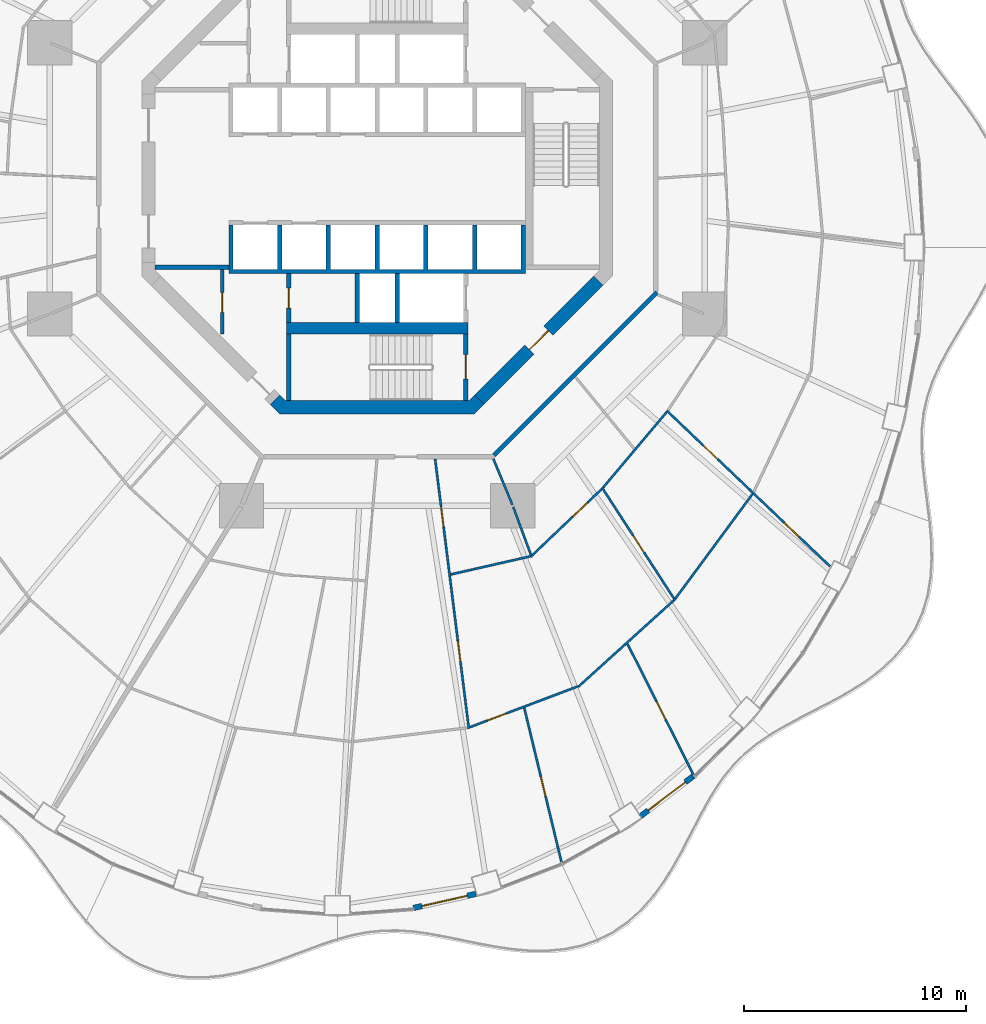
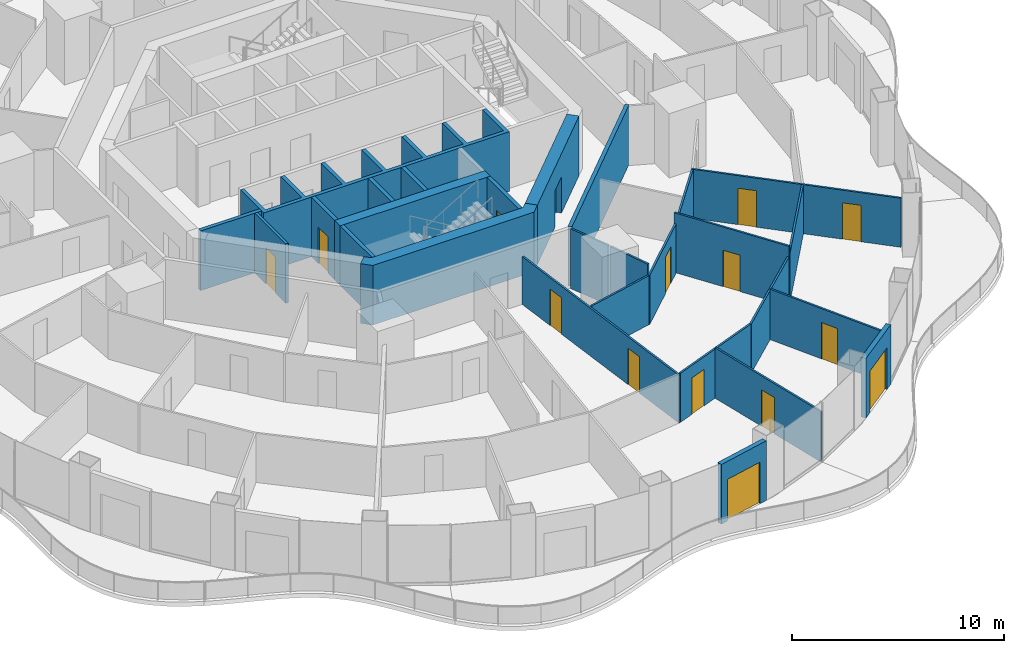
# One storey, part 13 of 20: 27 walls, 15 doors, 15 openings.
"""IFC4 building model written with IfcOpenShell, lengths in metres."""

from ifc_helpers import new_model, si_unit, direction, frame, frame_2d, origin, place, context, subcontext, project, spatial, polyline, rectangle, outline, extrude, material, layer, layer_set, type_object, element, fill, save


model = new_model("IFC4")

# Units and contexts
model_context = context("Model", 3, precision=1e-05, world=origin(), true_north=direction((0.0, 1.0)))
body_context = subcontext(model_context, "Body", "Model", "MODEL_VIEW")
ifc_project = project(units=[si_unit("LENGTHUNIT", "METRE"), si_unit("AREAUNIT", "SQUARE_METRE"), si_unit("VOLUMEUNIT", "CUBIC_METRE"), si_unit("PLANEANGLEUNIT", "RADIAN"), si_unit("MASSUNIT", "GRAM", prefix="KILO")], contexts=[model_context])

# Site, building, storey
site_placement = place(None, origin())
site = spatial("IfcSite", under=ifc_project, at=site_placement, CompositionType="ELEMENT")
building_placement = place(site_placement, origin())
building = spatial("IfcBuilding", under=site, at=building_placement, Name="Nagisa Residences", CompositionType="ELEMENT")
storey_placement = place(building_placement, frame((0.0, 0.0, 145.5)))
storey = spatial("IfcBuildingStorey", under=building, at=storey_placement, Name="L36", CompositionType="ELEMENT", Elevation=145.5)

# Wall
ifc_material_1 = material(Name="Gypsum board on steel studs", Category="steel")
ifc_layer_1 = layer(ifc_material_1, 0.199951171875)
ifc_layer_set_1 = layer_set([ifc_layer_1], Name="Apartment entry wall EI60 200")
wall_type_1 = type_object("IfcWallType", Name="Apartment entry wall EI60 200", PredefinedType="PARTITIONING", material=ifc_layer_set_1)
wall_1_placement = place(storey_placement, frame((5.275146484375, -12.494140625, 0.0), z_axis=(0.0, 0.0, 1.0), x_axis=(0.707106781187, 0.707106781187, 0.0)))
element("IfcWall", 1, at=wall_1_placement, inside=storey, type_object=wall_type_1, Name="wall:L36:u11", PredefinedType="PARTITIONING", context=body_context, shape_type="SweptSolid", body=[
    extrude(rectangle(XDim=10.4091796875, YDim=0.199951171875, at=frame_2d((5.20458984375, 0.0))), origin(), (0.0, 0.0, 1.0), 3.43994140625),
])

# Wall, openings, doors
ifc_material_2 = material(Name="Gypsum board on steel studs", Category="steel")
ifc_layer_2 = layer(ifc_material_2, 0.10009765625)
ifc_layer_set_2 = layer_set([ifc_layer_2], Name="Apartment partition 100")
wall_type_2 = type_object("IfcWallType", Name="Apartment partition 100", PredefinedType="PARTITIONING", material=ifc_layer_set_2)
wall_2_placement = place(storey_placement, frame((2.61474609375, -12.6640625, 0.0), z_axis=(0.0, 0.0, 1.0), x_axis=(0.124051875784, -0.992275733914, 0.0)))
wall_2 = element("IfcWall", 2, at=wall_2_placement, inside=storey, type_object=wall_type_2, Name="wall:L36:u79", PredefinedType="PARTITIONING", context=body_context, shape_type="SweptSolid", body=[
    extrude(rectangle(XDim=12.270751953125, YDim=0.10009765625, at=frame_2d((6.13525390625, 0.0))), origin(), (0.0, 0.0, 1.0), 2.756103515625),
])
opening_1_placement = place(wall_2_placement, frame((2.182861328125, 0.0, 0.0)))
opening_1 = element("IfcOpeningElement", 3, at=opening_1_placement, cuts=wall_2, Name="Opening L36-U03", PredefinedType="OPENING", context=body_context, shape_type="SweptSolid", body=[
    extrude(rectangle(XDim=0.89990234375, YDim=2.10009765625, at=frame_2d((0.449951171875, 1.050048828125))), frame((0.0, 0.06005859375, 0.0), z_axis=(0.0, -1.0, 0.0), x_axis=(1.0, 0.0, 0.0)), (0.0, 0.0, 1.0), 0.1201171875),
])
opening_2_placement = place(wall_2_placement, frame((8.293212890625, 0.0, 0.0)))
opening_2 = element("IfcOpeningElement", 4, at=opening_2_placement, cuts=wall_2, Name="Opening L36-U06", PredefinedType="OPENING", context=body_context, shape_type="SweptSolid", body=[
    extrude(rectangle(XDim=0.89990234375, YDim=2.10009765625, at=frame_2d((0.449951171875, 1.050048828125))), frame((0.0, 0.06005859375, 0.0), z_axis=(0.0, -1.0, 0.0), x_axis=(1.0, 0.0, 0.0)), (0.0, 0.0, 1.0), 0.1201171875),
])
ifc_material_3 = material(Name="Timber door set", Category="wood")
door_type_1 = type_object("IfcDoorType", Name="Apartment door 900x2100", OperationType="NOTDEFINED", PredefinedType="DOOR", material=ifc_material_3)
door_1_placement = place(opening_1_placement, origin())
door_1 = element("IfcDoor", 5, at=door_1_placement, inside=storey, type_object=door_type_1, Name="Door to family bathroom, Apartment 36A", OperationType="SINGLE_SWING_LEFT", OverallHeight=2.10009765625, OverallWidth=0.89990234375, PredefinedType="DOOR", context=body_context, shape_type="SweptSolid", body=[
    extrude(rectangle(XDim=0.89990234375, YDim=2.10009765625, at=frame_2d((0.449951171875, 1.050048828125))), frame((0.0, 0.02490234375, 0.0), z_axis=(0.0, -1.0, 0.0), x_axis=(1.0, 0.0, 0.0)), (0.0, 0.0, 1.0), 0.050048828125),
])
fill(opening_1, door_1)
door_2_placement = place(opening_2_placement, origin())
door_2 = element("IfcDoor", 6, at=door_2_placement, inside=storey, type_object=door_type_1, Name="Door to family room, Apartment 36A", OperationType="SINGLE_SWING_RIGHT", OverallHeight=2.10009765625, OverallWidth=0.89990234375, PredefinedType="DOOR", context=body_context, shape_type="SweptSolid", body=[
    extrude(rectangle(XDim=0.89990234375, YDim=2.10009765625, at=frame_2d((0.449951171875, 1.050048828125))), frame((0.0, 0.02490234375, 0.0), z_axis=(0.0, -1.0, 0.0), x_axis=(1.0, 0.0, 0.0)), (0.0, 0.0, 1.0), 0.050048828125),
])
fill(opening_2, door_2)

# Wall
wall_3_placement = place(storey_placement, frame((3.316650390625, -17.8779296875, 0.0), z_axis=(0.0, 0.0, 1.0), x_axis=(0.975099660451, 0.221767112505, 0.0)))
element("IfcWall", 7, at=wall_3_placement, inside=storey, type_object=wall_type_2, Name="wall:L36:u80", PredefinedType="PARTITIONING", context=body_context, shape_type="SweptSolid", body=[
    extrude(rectangle(XDim=3.685791015625, YDim=0.10009765625, at=frame_2d((1.8427734375, 0.0))), origin(), (0.0, 0.0, 1.0), 2.827880859375),
])

# Wall, opening, door
wall_4_placement = place(storey_placement, frame((4.177734375, -24.77294921875, 0.0), z_axis=(0.0, 0.0, 1.0), x_axis=(0.935585145124, 0.353101169955, 0.0)))
wall_4 = element("IfcWall", 8, at=wall_4_placement, inside=storey, type_object=wall_type_2, Name="wall:L36:u81", PredefinedType="PARTITIONING", context=body_context, shape_type="SweptSolid", body=[
    extrude(rectangle(XDim=5.2333984375, YDim=0.10009765625, at=frame_2d((2.61669921875, 0.0))), origin(), (0.0, 0.0, 1.0), 2.827880859375),
])
opening_3_placement = place(wall_4_placement, frame((0.8583984375, 0.0, 0.0)))
opening_3 = element("IfcOpeningElement", 9, at=opening_3_placement, cuts=wall_4, Name="Opening L36-U13", PredefinedType="OPENING", context=body_context, shape_type="SweptSolid", body=[
    extrude(rectangle(XDim=0.89990234375, YDim=2.10009765625, at=frame_2d((0.449951171875, 1.050048828125))), frame((0.0, 0.06005859375, 0.0), z_axis=(0.0, -1.0, 0.0), x_axis=(1.0, 0.0, 0.0)), (0.0, 0.0, 1.0), 0.1201171875),
])
door_3_placement = place(opening_3_placement, frame((0.89990234375, 0.0, 0.0), x_axis=(-1.0, 0.0, 0.0)))
door_3 = element("IfcDoor", 10, at=door_3_placement, inside=storey, type_object=door_type_1, Name="Door to dining room, Apartment 36A", OperationType="SINGLE_SWING_RIGHT", OverallHeight=2.10009765625, OverallWidth=0.89990234375, PredefinedType="DOOR", context=body_context, shape_type="SweptSolid", body=[
    extrude(rectangle(XDim=0.89990234375, YDim=2.10009765625, at=frame_2d((0.449951171875, 1.050048828125))), frame((0.0, 0.02490234375, 0.0), z_axis=(0.0, -1.0, 0.0), x_axis=(1.0, 0.0, 0.0)), (0.0, 0.0, 1.0), 0.050048828125),
])
fill(opening_3, door_3)

wall_5_placement = place(storey_placement, frame((6.6376953125, -23.8974609375, 0.0), z_axis=(0.0, 0.0, 1.0), x_axis=(0.23451925277, -0.97211147513, 0.0)))
wall_5 = element("IfcWall", 11, at=wall_5_placement, inside=storey, type_object=wall_type_2, Name="wall:L36:u82", PredefinedType="PARTITIONING", context=body_context, shape_type="SweptSolid", body=[
    extrude(rectangle(XDim=7.281005859375, YDim=0.10009765625, at=frame_2d((3.640625, 0.0))), origin(), (0.0, 0.0, 1.0), 2.905029296875),
])
opening_4_placement = place(wall_5_placement, frame((3.1904296875, 0.0, 0.0)))
opening_4 = element("IfcOpeningElement", 12, at=opening_4_placement, cuts=wall_5, Name="Opening L36-U14", PredefinedType="OPENING", context=body_context, shape_type="SweptSolid", body=[
    extrude(rectangle(XDim=0.89990234375, YDim=2.10009765625, at=frame_2d((0.449951171875, 1.050048828125))), frame((0.0, 0.06005859375, 0.0), z_axis=(0.0, -1.0, 0.0), x_axis=(1.0, 0.0, 0.0)), (0.0, 0.0, 1.0), 0.1201171875),
])
door_4_placement = place(opening_4_placement, origin())
door_4 = element("IfcDoor", 13, at=door_4_placement, inside=storey, type_object=door_type_1, Name="Door to living room, Apartment 36A", OperationType="SINGLE_SWING_RIGHT", OverallHeight=2.10009765625, OverallWidth=0.89990234375, PredefinedType="DOOR", context=body_context, shape_type="SweptSolid", body=[
    extrude(rectangle(XDim=0.89990234375, YDim=2.10009765625, at=frame_2d((0.449951171875, 1.050048828125))), frame((0.0, 0.02490234375, 0.0), z_axis=(0.0, -1.0, 0.0), x_axis=(1.0, 0.0, 0.0)), (0.0, 0.0, 1.0), 0.050048828125),
])
fill(opening_4, door_4)

# Walls
wall_6_placement = place(storey_placement, frame((5.24267578125, -12.6572265625, 0.0), z_axis=(0.0, 0.0, 1.0), x_axis=(0.382703272338, -0.923871314276, 0.0)))
element("IfcWall", 14, at=wall_6_placement, inside=storey, type_object=wall_type_2, Name="wall:L36:u83", PredefinedType="PARTITIONING", context=body_context, shape_type="SweptSolid", body=[
    extrude(rectangle(XDim=2.249267578125, YDim=0.10009765625, at=frame_2d((1.12451171875, 0.0))), origin(), (0.0, 0.0, 1.0), 3.43994140625),
])
wall_7_placement = place(storey_placement, frame((6.14013671875, -14.8291015625, 0.0), z_axis=(0.0, 0.0, 1.0), x_axis=(0.346198576881, -0.938161257655, 0.0)))
element("IfcWall", 15, at=wall_7_placement, inside=storey, type_object=wall_type_2, Name="wall:L36:u84", PredefinedType="PARTITIONING", context=body_context, shape_type="SweptSolid", body=[
    extrude(rectangle(XDim=2.316650390625, YDim=0.10009765625, at=frame_2d((1.158203125, 0.0))), origin(), (0.0, 0.0, 1.0), 3.43994140625),
])

# Wall, opening, door
wall_8_placement = place(storey_placement, frame((6.92333984375, -17.083984375, 0.0), z_axis=(0.0, 0.0, 1.0), x_axis=(0.723719008606, 0.690094773623, 0.0)))
wall_8 = element("IfcWall", 16, at=wall_8_placement, inside=storey, type_object=wall_type_2, Name="wall:L36:u85", PredefinedType="PARTITIONING", context=body_context, shape_type="SweptSolid", body=[
    extrude(rectangle(XDim=4.436279296875, YDim=0.10009765625, at=frame_2d((2.21826171875, 0.0))), origin(), (0.0, 0.0, 1.0), 2.827880859375),
])
opening_5_placement = place(wall_8_placement, frame((2.629150390625, 0.0, 0.0)))
opening_5 = element("IfcOpeningElement", 17, at=opening_5_placement, cuts=wall_8, Name="Opening L36-U20", PredefinedType="OPENING", context=body_context, shape_type="SweptSolid", body=[
    extrude(rectangle(XDim=0.89990234375, YDim=2.10009765625, at=frame_2d((0.449951171875, 1.050048828125))), frame((0.0, 0.06005859375, 0.0), z_axis=(0.0, -1.0, 0.0), x_axis=(1.0, 0.0, 0.0)), (0.0, 0.0, 1.0), 0.1201171875),
])
door_5_placement = place(opening_5_placement, origin())
door_5 = element("IfcDoor", 18, at=door_5_placement, inside=storey, type_object=door_type_1, Name="Door to store, Apartment 36A", OperationType="SINGLE_SWING_RIGHT", OverallHeight=2.10009765625, OverallWidth=0.89990234375, PredefinedType="DOOR", context=body_context, shape_type="SweptSolid", body=[
    extrude(rectangle(XDim=0.89990234375, YDim=2.10009765625, at=frame_2d((0.449951171875, 1.050048828125))), frame((0.0, 0.02490234375, 0.0), z_axis=(0.0, -1.0, 0.0), x_axis=(1.0, 0.0, 0.0)), (0.0, 0.0, 1.0), 0.050048828125),
])
fill(opening_5, door_5)

# Wall
wall_9_placement = place(storey_placement, frame((9.083740234375, -22.94091796875, 0.0), z_axis=(0.0, 0.0, 1.0), x_axis=(0.741684187175, 0.670749257543, 0.0)))
element("IfcWall", 19, at=wall_9_placement, inside=storey, type_object=wall_type_2, Name="wall:L36:u86", PredefinedType="PARTITIONING", context=body_context, shape_type="SweptSolid", body=[
    extrude(rectangle(XDim=5.80615234375, YDim=0.10009765625, at=frame_2d((2.903076171875, 0.0))), origin(), (0.0, 0.0, 1.0), 2.827880859375),
])

# Wall, opening, door
wall_10_placement = place(storey_placement, frame((11.29638671875, -21.0048828125, 0.0), z_axis=(0.0, 0.0, 1.0), x_axis=(0.44991509116, -0.893071335755, 0.0)))
wall_10 = element("IfcWall", 20, at=wall_10_placement, inside=storey, type_object=wall_type_2, Name="wall:L36:u87", PredefinedType="PARTITIONING", context=body_context, shape_type="SweptSolid", body=[
    extrude(rectangle(XDim=6.754638671875, YDim=0.10009765625, at=frame_2d((3.37744140625, 0.0))), origin(), (0.0, 0.0, 1.0), 2.905029296875),
])
opening_6_placement = place(wall_10_placement, frame((2.927490234375, 0.0, 0.0)))
opening_6 = element("IfcOpeningElement", 21, at=opening_6_placement, cuts=wall_10, Name="Opening L36-U15", PredefinedType="OPENING", context=body_context, shape_type="SweptSolid", body=[
    extrude(rectangle(XDim=0.89990234375, YDim=2.10009765625, at=frame_2d((0.449951171875, 1.050048828125))), frame((0.0, 0.06005859375, 0.0), z_axis=(0.0, -1.0, 0.0), x_axis=(1.0, 0.0, 0.0)), (0.0, 0.0, 1.0), 0.1201171875),
])
door_6_placement = place(opening_6_placement, origin())
door_6 = element("IfcDoor", 22, at=door_6_placement, inside=storey, type_object=door_type_1, Name="Door to dining room, Apartment 36A", OperationType="SINGLE_SWING_LEFT", OverallHeight=2.10009765625, OverallWidth=0.89990234375, PredefinedType="DOOR", context=body_context, shape_type="SweptSolid", body=[
    extrude(rectangle(XDim=0.89990234375, YDim=2.10009765625, at=frame_2d((0.449951171875, 1.050048828125))), frame((0.0, 0.02490234375, 0.0), z_axis=(0.0, -1.0, 0.0), x_axis=(1.0, 0.0, 0.0)), (0.0, 0.0, 1.0), 0.050048828125),
])
fill(opening_6, door_6)

wall_11_placement = place(storey_placement, frame((10.14306640625, -13.94580078125, 0.0), z_axis=(0.0, 0.0, 1.0), x_axis=(0.543872968754, -0.839167560061, 0.0)))
wall_11 = element("IfcWall", 23, at=wall_11_placement, inside=storey, type_object=wall_type_2, Name="wall:L36:u88", PredefinedType="PARTITIONING", context=body_context, shape_type="SweptSolid", body=[
    extrude(rectangle(XDim=6.08837890625, YDim=0.10009765625, at=frame_2d((3.044189453125, 0.0))), origin(), (0.0, 0.0, 1.0), 3.43994140625),
])
opening_7_placement = place(wall_11_placement, frame((2.593994140625, 0.0, 0.0)))
opening_7 = element("IfcOpeningElement", 24, at=opening_7_placement, cuts=wall_11, Name="Opening L36-U07", PredefinedType="OPENING", context=body_context, shape_type="SweptSolid", body=[
    extrude(rectangle(XDim=0.89990234375, YDim=2.10009765625, at=frame_2d((0.449951171875, 1.050048828125))), frame((0.0, 0.06005859375, 0.0), z_axis=(0.0, -1.0, 0.0), x_axis=(1.0, 0.0, 0.0)), (0.0, 0.0, 1.0), 0.1201171875),
])
door_7_placement = place(opening_7_placement, origin())
door_7 = element("IfcDoor", 25, at=door_7_placement, inside=storey, type_object=door_type_1, Name="Door to study, Apartment 36A", OperationType="SINGLE_SWING_LEFT", OverallHeight=2.10009765625, OverallWidth=0.89990234375, PredefinedType="DOOR", context=body_context, shape_type="SweptSolid", body=[
    extrude(rectangle(XDim=0.89990234375, YDim=2.10009765625, at=frame_2d((0.449951171875, 1.050048828125))), frame((0.0, 0.02490234375, 0.0), z_axis=(0.0, -1.0, 0.0), x_axis=(1.0, 0.0, 0.0)), (0.0, 0.0, 1.0), 0.050048828125),
])
fill(opening_7, door_7)

# Walls
wall_12_placement = place(storey_placement, frame((10.202392578125, -13.94970703125, 0.0), z_axis=(0.0, 0.0, 1.0), x_axis=(0.644068144287, 0.764968120587, 0.0)))
element("IfcWall", 26, at=wall_12_placement, inside=storey, type_object=wall_type_2, Name="wall:L36:u89", PredefinedType="PARTITIONING", context=body_context, shape_type="SweptSolid", body=[
    extrude(rectangle(XDim=4.44873046875, YDim=0.10009765625, at=frame_2d((2.224365234375, 0.0))), origin(), (0.0, 0.0, 1.0), 2.827880859375),
])
wall_13_placement = place(storey_placement, frame((13.456787109375, -18.97265625, 0.0), z_axis=(0.0, 0.0, 1.0), x_axis=(0.593532053206, 0.80481035146, 0.0)))
element("IfcWall", 27, at=wall_13_placement, inside=storey, type_object=wall_type_2, Name="wall:L36:u90", PredefinedType="PARTITIONING", context=body_context, shape_type="SweptSolid", body=[
    extrude(rectangle(XDim=5.8759765625, YDim=0.10009765625, at=frame_2d((2.93798828125, 0.0))), origin(), (0.0, 0.0, 1.0), 2.827880859375),
])

# Wall, openings, doors
wall_14_placement = place(storey_placement, frame((13.063720703125, -10.473876953125, 0.0), z_axis=(0.0, 0.0, 1.0), x_axis=(0.723627371706, -0.690190862673, 0.0)))
wall_14 = element("IfcWall", 28, at=wall_14_placement, inside=storey, type_object=wall_type_2, Name="wall:L36:u92", PredefinedType="PARTITIONING", context=body_context, shape_type="SweptSolid", body=[
    extrude(rectangle(XDim=10.193115234375, YDim=0.10009765625, at=frame_2d((5.0966796875, 0.0))), origin(), (0.0, 0.0, 1.0), 2.827880859375),
])
opening_8_placement = place(wall_14_placement, frame((2.27685546875, 0.0, 0.0)))
opening_8 = element("IfcOpeningElement", 29, at=opening_8_placement, cuts=wall_14, Name="Opening L36-U08", PredefinedType="OPENING", context=body_context, shape_type="SweptSolid", body=[
    extrude(rectangle(XDim=0.89990234375, YDim=2.10009765625, at=frame_2d((0.449951171875, 1.050048828125))), frame((0.0, 0.06005859375, 0.0), z_axis=(0.0, -1.0, 0.0), x_axis=(1.0, 0.0, 0.0)), (0.0, 0.0, 1.0), 0.1201171875),
])
opening_9_placement = place(wall_14_placement, frame((7.348388671875, 0.0, 0.0)))
opening_9 = element("IfcOpeningElement", 30, at=opening_9_placement, cuts=wall_14, Name="Opening L36-U16", PredefinedType="OPENING", context=body_context, shape_type="SweptSolid", body=[
    extrude(rectangle(XDim=0.89990234375, YDim=2.10009765625, at=frame_2d((0.449951171875, 1.050048828125))), frame((0.0, 0.06005859375, 0.0), z_axis=(0.0, -1.0, 0.0), x_axis=(1.0, 0.0, 0.0)), (0.0, 0.0, 1.0), 0.1201171875),
])
door_8_placement = place(opening_8_placement, origin())
door_8 = element("IfcDoor", 31, at=door_8_placement, inside=storey, type_object=door_type_1, Name="Door to family room, Apartment 36A", OperationType="SINGLE_SWING_RIGHT", OverallHeight=2.10009765625, OverallWidth=0.89990234375, PredefinedType="DOOR", context=body_context, shape_type="SweptSolid", body=[
    extrude(rectangle(XDim=0.89990234375, YDim=2.10009765625, at=frame_2d((0.449951171875, 1.050048828125))), frame((0.0, 0.02490234375, 0.0), z_axis=(0.0, -1.0, 0.0), x_axis=(1.0, 0.0, 0.0)), (0.0, 0.0, 1.0), 0.050048828125),
])
fill(opening_8, door_8)
door_9_placement = place(opening_9_placement, origin())
door_9 = element("IfcDoor", 32, at=door_9_placement, inside=storey, type_object=door_type_1, Name="Door to living room, Apartment 36A", OperationType="SINGLE_SWING_RIGHT", OverallHeight=2.10009765625, OverallWidth=0.89990234375, PredefinedType="DOOR", context=body_context, shape_type="SweptSolid", body=[
    extrude(rectangle(XDim=0.89990234375, YDim=2.10009765625, at=frame_2d((0.449951171875, 1.050048828125))), frame((0.0, 0.02490234375, 0.0), z_axis=(0.0, -1.0, 0.0), x_axis=(1.0, 0.0, 0.0)), (0.0, 0.0, 1.0), 0.050048828125),
])
fill(opening_9, door_9)

# Wall, opening, door
ifc_material_4 = material(Name="Precast concrete C40/50", Category="concrete")
ifc_layer_3 = layer(ifc_material_4, 0.25)
ifc_layer_set_3 = layer_set([ifc_layer_3], Name="BALCONY DOOR WALL 250")
wall_type_3 = type_object("IfcWallType", Name="BALCONY DOOR WALL 250", PredefinedType="SOLIDWALL", material=ifc_layer_set_3)
wall_15_placement = place(storey_placement, frame((4.455078125, -32.29443359375, 0.0), z_axis=(0.0, 0.0, 1.0), x_axis=(-0.975339035722, -0.220711951186, 0.0)))
wall_15 = element("IfcWall", 33, at=wall_15_placement, inside=storey, type_object=wall_type_3, Name="wall:L36:bay37", PredefinedType="SOLIDWALL", context=body_context, shape_type="SweptSolid", body=[
    extrude(rectangle(XDim=2.890380859375, YDim=0.25, at=frame_2d((1.4453125, 0.0))), origin(), (0.0, 0.0, 1.0), 3.43994140625),
])
opening_10_placement = place(wall_15_placement, frame((0.395263671875, 0.0, 0.0)))
opening_10 = element("IfcOpeningElement", 34, at=opening_10_placement, cuts=wall_15, Name="Opening BD-L36-13", PredefinedType="OPENING", context=body_context, shape_type="SweptSolid", body=[
    extrude(rectangle(XDim=2.10009765625, YDim=2.39990234375, at=frame_2d((1.050048828125, 1.199951171875))), frame((0.0, 0.135009765625, 0.0), z_axis=(0.0, -1.0, 0.0), x_axis=(1.0, 0.0, 0.0)), (0.0, 0.0, 1.0), 0.27001953125),
])
ifc_material_5 = material(Name="Aluminium and clear glass", Category="aluminium")
door_type_2 = type_object("IfcDoorType", Name="BALCONY SLIDING DOOR 2100x2400", OperationType="SLIDING_TO_LEFT", PredefinedType="DOOR", material=ifc_material_5)
door_10_placement = place(opening_10_placement, origin())
door_10 = element("IfcDoor", 35, at=door_10_placement, inside=storey, type_object=door_type_2, Name="door:L36:bay37", OperationType="SLIDING_TO_LEFT", OverallHeight=2.39990234375, OverallWidth=2.10009765625, PredefinedType="DOOR", context=body_context, shape_type="SweptSolid", body=[
    extrude(rectangle(XDim=2.10009765625, YDim=2.39990234375, at=frame_2d((1.050048828125, 1.199951171875))), frame((0.0, 0.02490234375, 0.0), z_axis=(0.0, -1.0, 0.0), x_axis=(1.0, 0.0, 0.0)), (0.0, 0.0, 1.0), 0.050048828125),
])
fill(opening_10, door_10)

wall_16_placement = place(storey_placement, frame((14.27783203125, -26.973388671875, 0.0), z_axis=(0.0, 0.0, 1.0), x_axis=(-0.796022231079, -0.605267385233, 0.0)))
wall_16 = element("IfcWall", 36, at=wall_16_placement, inside=storey, type_object=wall_type_3, Name="wall:L36:bay40", PredefinedType="SOLIDWALL", context=body_context, shape_type="SweptSolid", body=[
    extrude(rectangle(XDim=3.025634765625, YDim=0.25, at=frame_2d((1.5126953125, 0.0))), origin(), (0.0, 0.0, 1.0), 3.43994140625),
])
opening_11_placement = place(wall_16_placement, frame((0.462646484375, 0.0, 0.0)))
opening_11 = element("IfcOpeningElement", 37, at=opening_11_placement, cuts=wall_16, Name="Opening BD-L36-14", PredefinedType="OPENING", context=body_context, shape_type="SweptSolid", body=[
    extrude(rectangle(XDim=2.10009765625, YDim=2.39990234375, at=frame_2d((1.050048828125, 1.199951171875))), frame((0.0, 0.135009765625, 0.0), z_axis=(0.0, -1.0, 0.0), x_axis=(1.0, 0.0, 0.0)), (0.0, 0.0, 1.0), 0.27001953125),
])
door_11_placement = place(opening_11_placement, origin())
door_11 = element("IfcDoor", 38, at=door_11_placement, inside=storey, type_object=door_type_2, Name="door:L36:bay40", OperationType="SLIDING_TO_LEFT", OverallHeight=2.39990234375, OverallWidth=2.10009765625, PredefinedType="DOOR", context=body_context, shape_type="SweptSolid", body=[
    extrude(rectangle(XDim=2.10009765625, YDim=2.39990234375, at=frame_2d((1.050048828125, 1.199951171875))), frame((0.0, 0.02490234375, 0.0), z_axis=(0.0, -1.0, 0.0), x_axis=(1.0, 0.0, 0.0)), (0.0, 0.0, 1.0), 0.050048828125),
])
fill(opening_11, door_11)

ifc_material_6 = material(Name="Gypsum board on steel studs", Category="steel")
ifc_layer_4 = layer(ifc_material_6, 0.14990234375)
ifc_layer_set_4 = layer_set([ifc_layer_4], Name="Core partition 150")
wall_type_4 = type_object("IfcWallType", Name="Core partition 150", PredefinedType="PARTITIONING", material=ifc_layer_set_4)
wall_17_placement = place(storey_placement, frame((-7.0, -7.02685546875, 0.0), z_axis=(0.0, 0.0, 1.0), x_axis=(0.0, 1.0, 0.0)))
wall_17 = element("IfcWall", 39, at=wall_17_placement, inside=storey, type_object=wall_type_4, Name="wall:L36:SWp", PredefinedType="PARTITIONING", context=body_context, shape_type="SweptSolid", body=[
    extrude(rectangle(XDim=2.9267578125, YDim=0.14990234375, at=frame_2d((1.46337890625, 0.0))), origin(), (0.0, 0.0, 1.0), 3.43994140625),
])
opening_12_placement = place(wall_17_placement, frame((0.97607421875, 0.0, 0.0)))
opening_12 = element("IfcOpeningElement", 40, at=opening_12_placement, cuts=wall_17, Name="Opening L36-C14", PredefinedType="OPENING", context=body_context, shape_type="SweptSolid", body=[
    extrude(rectangle(XDim=0.89990234375, YDim=2.10009765625, at=frame_2d((0.449951171875, 1.050048828125))), frame((0.0, 0.0849609375, 0.0), z_axis=(0.0, -1.0, 0.0), x_axis=(1.0, 0.0, 0.0)), (0.0, 0.0, 1.0), 0.169921875),
])
ifc_material_7 = material(Name="Steel fire door", Category="steel")
door_type_3 = type_object("IfcDoorType", Name="Fire door EI30 900x2100 single swing", OperationType="NOTDEFINED", PredefinedType="DOOR", material=ifc_material_7)
door_12_placement = place(opening_12_placement, origin())
door_12 = element("IfcDoor", 41, at=door_12_placement, inside=storey, type_object=door_type_3, Name="Cleaner store door L36", OperationType="SINGLE_SWING_RIGHT", OverallHeight=2.10009765625, OverallWidth=0.89990234375, PredefinedType="DOOR", context=body_context, shape_type="SweptSolid", body=[
    extrude(rectangle(XDim=0.89990234375, YDim=2.10009765625, at=frame_2d((0.449951171875, 1.050048828125))), frame((0.0, 0.02490234375, 0.0), z_axis=(0.0, -1.0, 0.0), x_axis=(1.0, 0.0, 0.0)), (0.0, 0.0, 1.0), 0.050048828125),
])
fill(opening_12, door_12)

# Wall
ifc_material_8 = material(Name="Gypsum board on steel studs", Category="steel")
ifc_layer_5 = layer(ifc_material_8, 0.199951171875)
ifc_layer_set_5 = layer_set([ifc_layer_5], Name="Core partition 200")
wall_type_5 = type_object("IfcWallType", Name="Core partition 200", PredefinedType="PARTITIONING", material=ifc_layer_set_5)
wall_18_placement = place(storey_placement, frame((-10.024658203125, -4.0, 0.0), z_axis=(0.0, 0.0, 1.0), x_axis=(1.0, 0.0, 0.0)))
element("IfcWall", 42, at=wall_18_placement, inside=storey, type_object=wall_type_5, Name="wall:L36:PSW", PredefinedType="PARTITIONING", context=body_context, shape_type="SweptSolid", body=[
    extrude(rectangle(XDim=3.32470703125, YDim=0.199951171875, at=frame_2d((1.662353515625, 0.0))), origin(), (0.0, 0.0, 1.0), 3.43994140625),
])

# Wall, opening, door
ifc_material_9 = material(Name="Concrete C60", Category="concrete")
ifc_layer_6 = layer(ifc_material_9, 0.60009765625)
ifc_layer_set_6 = layer_set([ifc_layer_6], Name="Core shear wall 600")
wall_type_6 = type_object("IfcWallType", Name="Core shear wall 600", PredefinedType="SHEAR", material=ifc_layer_set_6)
wall_19_placement = place(storey_placement, frame((4.613037109375, -9.98828125, 0.0), z_axis=(0.0, 0.0, 1.0), x_axis=(0.707106781187, 0.707106781187, 0.0)))
wall_19 = element("IfcWall", 43, at=wall_19_placement, inside=storey, type_object=wall_type_6, Name="wall:L36:core:flat7", PredefinedType="SHEAR", context=body_context, shape_type="SweptSolid", body=[
    extrude(rectangle(XDim=7.601806640625, YDim=0.60009765625, at=frame_2d((3.80078125, 0.0))), origin(), (0.0, 0.0, 1.0), 3.43994140625),
])
opening_13_placement = place(wall_19_placement, frame((3.200927734375, 0.0, 0.0)))
opening_13 = element("IfcOpeningElement", 44, at=opening_13_placement, cuts=wall_19, Name="Opening L36-C17", PredefinedType="OPENING", context=body_context, shape_type="SweptSolid", body=[
    extrude(rectangle(XDim=1.199951171875, YDim=2.10009765625, at=frame_2d((0.60009765625, 1.050048828125))), frame((0.0, 0.31005859375, 0.0), z_axis=(0.0, -1.0, 0.0), x_axis=(1.0, 0.0, 0.0)), (0.0, 0.0, 1.0), 0.6201171875),
])
ifc_material_10 = material(Name="Steel fire door", Category="steel")
door_type_4 = type_object("IfcDoorType", Name="Fire door EI60 1200x2100 single swing", OperationType="NOTDEFINED", PredefinedType="DOOR", material=ifc_material_10)
door_13_placement = place(opening_13_placement, origin())
door_13 = element("IfcDoor", 45, at=door_13_placement, inside=storey, type_object=door_type_4, Name="Firefighting lobby 2 door L36", OperationType="SINGLE_SWING_LEFT", OverallHeight=2.10009765625, OverallWidth=1.199951171875, PredefinedType="DOOR", context=body_context, shape_type="SweptSolid", body=[
    extrude(rectangle(XDim=1.199951171875, YDim=2.10009765625, at=frame_2d((0.60009765625, 1.050048828125))), frame((0.0, 0.02490234375, 0.0), z_axis=(0.0, -1.0, 0.0), x_axis=(1.0, 0.0, 0.0)), (0.0, 0.0, 1.0), 0.050048828125),
])
fill(opening_13, door_13)

# Wall
wall_20_placement = place(storey_placement, origin())
element("IfcWall", 46, at=wall_20_placement, inside=storey, type_object=wall_type_6, Name="wall:L36:core:flat6", PredefinedType="SHEAR", context=body_context, shape_type="SweptSolid", body=[
    extrude(outline(polyline([(-4.15234375, -10.024658203125), (4.15234375, -10.024658203125), (4.40087890625, -9.776123046875), (4.8251953125, -10.200439453125), (4.40087890625, -10.62451171875), (-4.40087890625, -10.62451171875), (-4.8251953125, -10.200439453125), (-4.40087890625, -9.776123046875), (-4.15234375, -10.024658203125)])), origin(), (0.0, 0.0, 1.0), 3.43994140625),
])

# Wall, opening, door
ifc_material_11 = material(Name="Concrete C60", Category="concrete")
ifc_layer_7 = layer(ifc_material_11, 0.199951171875)
ifc_layer_set_7 = layer_set([ifc_layer_7], Name="Lift shaft wall 200")
wall_type_7 = type_object("IfcWallType", Name="Lift shaft wall 200", PredefinedType="SOLIDWALL", material=ifc_layer_set_7)
wall_21_placement = place(storey_placement, frame((-4.0, -6.5, 0.0), z_axis=(0.0, 0.0, 1.0), x_axis=(0.0, 1.0, 0.0)))
wall_21 = element("IfcWall", 47, at=wall_21_placement, inside=storey, type_object=wall_type_7, Name="wall:L36:Sb4", PredefinedType="SOLIDWALL", context=body_context, shape_type="SweptSolid", body=[
    extrude(rectangle(XDim=2.199951171875, YDim=0.199951171875, at=frame_2d((1.10009765625, 0.0))), origin(), (0.0, 0.0, 1.0), 3.43994140625),
])
opening_14_placement = place(wall_21_placement, frame((0.64990234375, 0.0, 0.0)))
opening_14 = element("IfcOpeningElement", 48, at=opening_14_placement, cuts=wall_21, Name="Opening L36-C15", PredefinedType="OPENING", context=body_context, shape_type="SweptSolid", body=[
    extrude(rectangle(XDim=0.89990234375, YDim=2.10009765625, at=frame_2d((0.449951171875, 1.050048828125))), frame((0.0, 0.10986328125, 0.0), z_axis=(0.0, -1.0, 0.0), x_axis=(1.0, 0.0, 0.0)), (0.0, 0.0, 1.0), 0.219970703125),
])
door_14_placement = place(opening_14_placement, frame((0.89990234375, 0.0, 0.0), x_axis=(-1.0, 0.0, 0.0)))
door_14 = element("IfcDoor", 49, at=door_14_placement, inside=storey, type_object=door_type_3, Name="Refuse room door L36", OperationType="SINGLE_SWING_RIGHT", OverallHeight=2.10009765625, OverallWidth=0.89990234375, PredefinedType="DOOR", context=body_context, shape_type="SweptSolid", body=[
    extrude(rectangle(XDim=0.89990234375, YDim=2.10009765625, at=frame_2d((0.449951171875, 1.050048828125))), frame((0.0, 0.02490234375, 0.0), z_axis=(0.0, -1.0, 0.0), x_axis=(1.0, 0.0, 0.0)), (0.0, 0.0, 1.0), 0.050048828125),
])
fill(opening_14, door_14)

# Walls
for number, where, z_axis, x_axis, name in (
    (50, (-0.89990234375, -6.5, 0.0), (0.0, 0.0, 1.0), (0.0, 1.0, 0.0), "wall:L36:Sb1"),
    (51, (0.89990234375, -6.5, 0.0), (0.0, 0.0, 1.0), (0.0, 1.0, 0.0), "wall:L36:Sb2"),
):
    element("IfcWall", number, at=place(storey_placement, frame(where, z_axis=z_axis, x_axis=x_axis)), inside=storey, type_object=wall_type_7, Name=name, PredefinedType="SOLIDWALL", context=body_context, shape_type="SweptSolid", body=[
        extrude(rectangle(XDim=2.199951171875, YDim=0.199951171875, at=frame_2d((1.10009765625, 0.0))), origin(), (0.0, 0.0, 1.0), 3.43994140625),
    ])
wall_22_placement = place(storey_placement, origin())
element("IfcWall", 52, at=wall_22_placement, inside=storey, type_object=wall_type_7, Name="wall:L36:Sback", PredefinedType="SOLIDWALL", context=body_context, shape_type="SweptSolid", body=[
    extrude(outline(polyline([(-6.699951171875, -2.10009765625), (-6.5, -2.10009765625), (-6.5, -4.10009765625), (-4.5, -4.10009765625), (-4.5, -2.10009765625), (-4.300048828125, -2.10009765625), (-4.300048828125, -4.10009765625), (-2.300048828125, -4.10009765625), (-2.300048828125, -2.10009765625), (-2.10009765625, -2.10009765625), (-2.10009765625, -4.10009765625), (-0.10009765625, -4.10009765625), (-0.10009765625, -2.10009765625), (0.10009765625, -2.10009765625), (0.10009765625, -4.10009765625), (2.10009765625, -4.10009765625), (2.10009765625, -2.10009765625), (2.300048828125, -2.10009765625), (2.300048828125, -4.10009765625), (4.300048828125, -4.10009765625), (4.300048828125, -2.10009765625), (4.5, -2.10009765625), (4.5, -4.10009765625), (6.5, -4.10009765625), (6.5, -2.10009765625), (6.699951171875, -2.10009765625), (6.699951171875, -4.300048828125), (-6.699951171875, -4.300048828125), (-6.699951171875, -2.10009765625)])), origin(), (0.0, 0.0, 1.0), 3.43994140625),
])

# Wall, opening, door
ifc_material_12 = material(Name="Concrete C60", Category="concrete")
ifc_layer_8 = layer(ifc_material_12, 0.199951171875)
ifc_layer_set_8 = layer_set([ifc_layer_8], Name="Stair enclosure wall 200")
wall_type_8 = type_object("IfcWallType", Name="Stair enclosure wall 200", PredefinedType="SOLIDWALL", material=ifc_layer_set_8)
wall_23_placement = place(storey_placement, frame((4.0, -10.024658203125, 0.0), z_axis=(0.0, 0.0, 1.0), x_axis=(0.0, 1.0, 0.0)))
wall_23 = element("IfcWall", 53, at=wall_23_placement, inside=storey, type_object=wall_type_8, Name="wall:L36:SS_e", PredefinedType="SOLIDWALL", context=body_context, shape_type="SweptSolid", body=[
    extrude(rectangle(XDim=3.0, YDim=0.199951171875, at=frame_2d((1.5, 0.0))), origin(), (0.0, 0.0, 1.0), 3.43994140625),
])
opening_15_placement = place(wall_23_placement, frame((0.974609375, 0.0, 0.0)))
opening_15 = element("IfcOpeningElement", 54, at=opening_15_placement, cuts=wall_23, Name="Opening L36-C11", PredefinedType="OPENING", context=body_context, shape_type="SweptSolid", body=[
    extrude(rectangle(XDim=1.10009765625, YDim=2.10009765625, at=frame_2d((0.550048828125, 1.050048828125))), frame((0.0, 0.10986328125, 0.0), z_axis=(0.0, -1.0, 0.0), x_axis=(1.0, 0.0, 0.0)), (0.0, 0.0, 1.0), 0.219970703125),
])
ifc_material_13 = material(Name="Steel fire door", Category="steel")
door_type_5 = type_object("IfcDoorType", Name="Fire door EI90 1100x2100 single swing", OperationType="NOTDEFINED", PredefinedType="DOOR", material=ifc_material_13)
door_15_placement = place(opening_15_placement, origin())
door_15 = element("IfcDoor", 55, at=door_15_placement, inside=storey, type_object=door_type_5, Name="Stair door ST-S L36", OperationType="SINGLE_SWING_RIGHT", OverallHeight=2.10009765625, OverallWidth=1.10009765625, PredefinedType="DOOR", context=body_context, shape_type="SweptSolid", body=[
    extrude(rectangle(XDim=1.10009765625, YDim=2.10009765625, at=frame_2d((0.550048828125, 1.050048828125))), frame((0.0, 0.02490234375, 0.0), z_axis=(0.0, -1.0, 0.0), x_axis=(1.0, 0.0, 0.0)), (0.0, 0.0, 1.0), 0.050048828125),
])
fill(opening_15, door_15)

# Walls
wall_24_placement = place(storey_placement, origin())
element("IfcWall", 56, at=wall_24_placement, inside=storey, type_object=wall_type_8, Name="wall:L36:SS_w", PredefinedType="SOLIDWALL", context=body_context, shape_type="SweptSolid", body=[
    extrude(outline(polyline([(-3.89990234375, -10.024658203125), (-4.10009765625, -10.024658203125), (-4.10009765625, -7.024658203125), (-3.89990234375, -7.024658203125), (-3.89990234375, -10.024658203125)])), origin(), (0.0, 0.0, 1.0), 3.43994140625),
])
wall_25_placement = place(storey_placement, origin())
element("IfcWall", 57, at=wall_25_placement, inside=storey, type_object=wall_type_8, Name="wall:L36:SS_n", PredefinedType="SOLIDWALL", context=body_context, shape_type="SweptSolid", body=[
    extrude(outline(polyline([(4.10009765625, -7.024658203125), (-4.10009765625, -7.024658203125), (-4.10009765625, -6.5), (4.10009765625, -6.5), (4.10009765625, -7.024658203125)])), origin(), (0.0, 0.0, 1.0), 3.43994140625),
])

save(model, "model.ifc")
